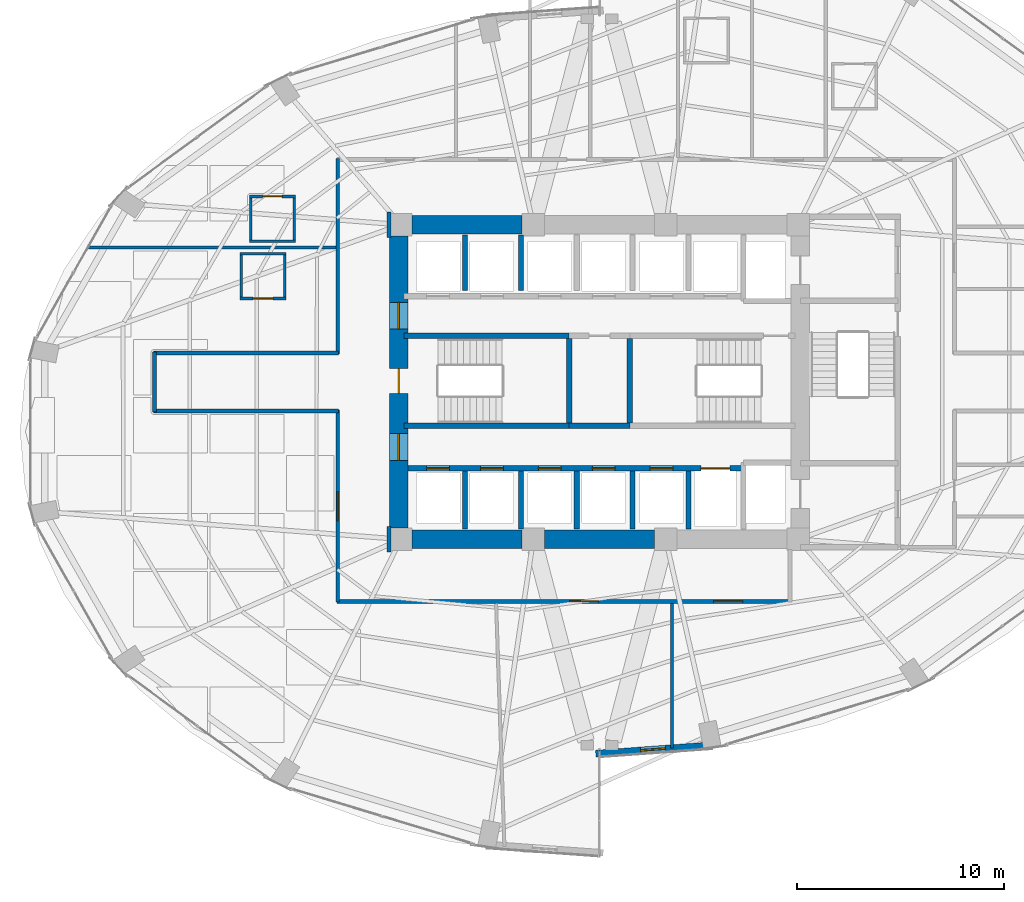
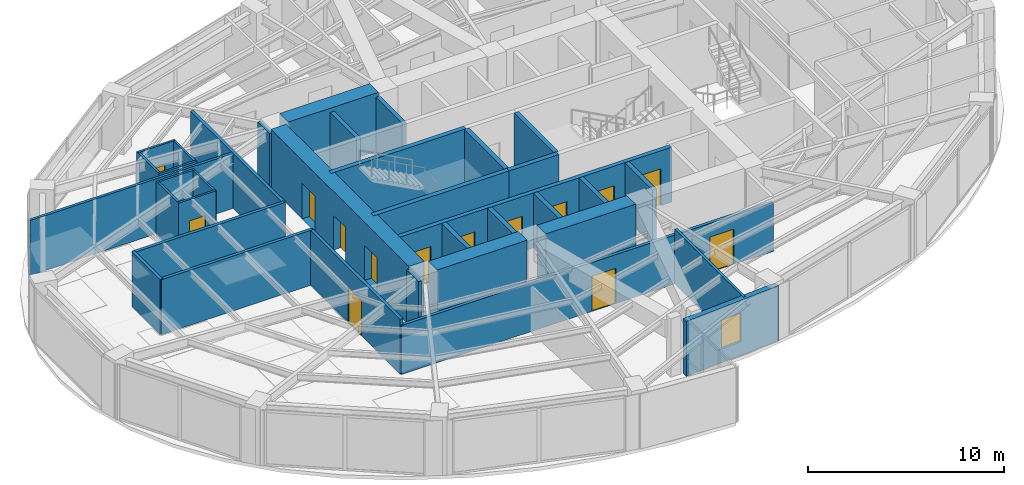
# One storey, part 21 of 25: 36 walls, 14 doors, 1 window, 15 openings.
"""IFC4 building model written with IfcOpenShell, lengths in metres."""

from ifc_helpers import new_model, si_unit, direction, frame, frame_2d, origin, place, context, subcontext, project, spatial, rectangle, extrude, material, layer, layer_set, type_object, element, fill, save


model = new_model("IFC4")

# Units and contexts
model_context = context("Model", 3, precision=1e-05, world=origin(), true_north=direction((0.0, 1.0)))
body_context = subcontext(model_context, "Body", "Model", "MODEL_VIEW")
ifc_project = project(units=[si_unit("LENGTHUNIT", "METRE"), si_unit("AREAUNIT", "SQUARE_METRE"), si_unit("VOLUMEUNIT", "CUBIC_METRE"), si_unit("PLANEANGLEUNIT", "RADIAN"), si_unit("MASSUNIT", "GRAM", prefix="KILO")], contexts=[model_context])

# Site, building, storey
site_placement = place(None, origin())
site = spatial("IfcSite", under=ifc_project, at=site_placement, CompositionType="ELEMENT")
building_placement = place(site_placement, origin())
building = spatial("IfcBuilding", under=site, at=building_placement, Name="Lazwardi Medical Tower", CompositionType="ELEMENT")
storey_placement = place(building_placement, frame((0.0, 0.0, 50.736083984375)))
storey = spatial("IfcBuildingStorey", under=building, at=storey_placement, Name="L12", CompositionType="ELEMENT", Elevation=50.736083984375)

# Walls
ifc_material_1 = material(Name="Fire-rated gypsum board on steel stud", Category="steel")
ifc_layer_1 = layer(ifc_material_1, 0.179931640625)
ifc_layer_set_1 = layer_set([ifc_layer_1], Name="Fire-rated gypsum board on steel stud")
wall_type_1 = type_object("IfcWallType", Name="WL-COR-180", PredefinedType="PARTITIONING", material=ifc_layer_set_1)
wall_1_placement = place(storey_placement, frame((14.5, 26.56005859375, 0.0), z_axis=(0.0, 0.0, 1.0), x_axis=(0.0, 1.0, 0.0)))
element("IfcWall", 1, at=wall_1_placement, inside=storey, type_object=wall_type_1, Name="L12 Corridor partition 1", PredefinedType="PARTITIONING", context=body_context, shape_type="SweptSolid", body=[
    extrude(rectangle(XDim=2.8798828125, YDim=0.179931640625, at=frame_2d((1.43994140625, 0.0))), origin(), (0.0, 0.0, 1.0), 3.427978515625),
])
wall_2_placement = place(storey_placement, frame((14.4599609375, 29.39990234375, 0.0), z_axis=(0.0, 0.0, 1.0), x_axis=(1.0, 0.0, 0.0)))
element("IfcWall", 2, at=wall_2_placement, inside=storey, type_object=wall_type_1, Name="L12 Corridor partition 2", PredefinedType="PARTITIONING", context=body_context, shape_type="SweptSolid", body=[
    extrude(rectangle(XDim=8.929931640625, YDim=0.179931640625, at=frame_2d((4.46484375, 0.0))), origin(), (0.0, 0.0, 1.0), 3.427978515625),
])
wall_3_placement = place(storey_placement, frame((23.35009765625, 29.360107421875, 0.0), z_axis=(0.0, 0.0, 1.0), x_axis=(0.0, 1.0, 0.0)))
element("IfcWall", 3, at=wall_3_placement, inside=storey, type_object=wall_type_1, Name="L12 Corridor partition 3", PredefinedType="PARTITIONING", context=body_context, shape_type="SweptSolid", body=[
    extrude(rectangle(XDim=9.429931640625, YDim=0.179931640625, at=frame_2d((4.71484375, 0.0))), origin(), (0.0, 0.0, 1.0), 3.427978515625),
])
for number, where, z_axis, x_axis, name in (
    (4, (25.830078125, 36.2099609375, 0.0), (0.0, 0.0, 1.0), (0.0, -1.0, 0.0), "L12 Corridor partition 12"),
    (5, (25.830078125, 21.010009765625, 0.0), (0.0, 0.0, 1.0), (0.0, -1.0, 0.0), "L12 Corridor partition 13"),
):
    element("IfcWall", number, at=place(storey_placement, frame(where, z_axis=z_axis, x_axis=x_axis)), inside=storey, type_object=wall_type_1, Name=name, PredefinedType="PARTITIONING", context=body_context, shape_type="SweptSolid", body=[
        extrude(rectangle(XDim=1.219970703125, YDim=0.179931640625, at=frame_2d((0.60986328125, 0.0))), origin(), (0.0, 0.0, 1.0), 3.427978515625),
    ])

# Wall, openings, doors
wall_4_placement = place(storey_placement, frame((45.239990234375, 17.39990234375, 0.0), z_axis=(0.0, 0.0, 1.0), x_axis=(-1.0, 0.0, 0.0)))
wall_4 = element("IfcWall", 6, at=wall_4_placement, inside=storey, type_object=wall_type_1, Name="L12 Corridor partition 15", PredefinedType="PARTITIONING", context=body_context, shape_type="SweptSolid", body=[
    extrude(rectangle(XDim=21.929931640625, YDim=0.179931640625, at=frame_2d((10.96484375, 0.0))), origin(), (0.0, 0.0, 1.0), 3.052978515625),
])
opening_1_placement = place(wall_4_placement, frame((9.288818359375, 0.0, 0.0)))
opening_1 = element("IfcOpeningElement", 7, at=opening_1_placement, cuts=wall_4, Name="Opening D-L12-011", PredefinedType="OPENING", context=body_context, shape_type="SweptSolid", body=[
    extrude(rectangle(XDim=1.39990234375, YDim=2.199951171875, at=frame_2d((0.699951171875, 1.10009765625))), frame((0.0, 0.099853515625, 0.0), z_axis=(0.0, -1.0, 0.0), x_axis=(1.0, 0.0, 0.0)), (0.0, 0.0, 1.0), 0.199951171875),
])
opening_2_placement = place(wall_4_placement, frame((2.3291015625, 0.0, 0.0)))
opening_2 = element("IfcOpeningElement", 8, at=opening_2_placement, cuts=wall_4, Name="Opening D-L12-012", PredefinedType="OPENING", context=body_context, shape_type="SweptSolid", body=[
    extrude(rectangle(XDim=1.39990234375, YDim=2.199951171875, at=frame_2d((0.699951171875, 1.10009765625))), frame((0.0, 0.099853515625, 0.0), z_axis=(0.0, -1.0, 0.0), x_axis=(1.0, 0.0, 0.0)), (0.0, 0.0, 1.0), 0.199951171875),
])
ifc_material_2 = material(Name="Anti-microbial laminate hospital leaf")
door_type_1 = type_object("IfcDoorType", Name="DR-BED-1400", OperationType="NOTDEFINED", PredefinedType="DOOR", material=ifc_material_2)
door_1_placement = place(opening_1_placement, origin())
door_1 = element("IfcDoor", 9, at=door_1_placement, inside=storey, type_object=door_type_1, Name="L12 Rehabilitation Gymnasium Door 02", OperationType="SINGLE_SWING_RIGHT", OverallHeight=2.199951171875, OverallWidth=1.39990234375, PredefinedType="DOOR", context=body_context, shape_type="SweptSolid", body=[
    extrude(rectangle(XDim=1.39990234375, YDim=2.199951171875, at=frame_2d((0.699951171875, 1.10009765625))), frame((0.0, 0.02490234375, 0.0), z_axis=(0.0, -1.0, 0.0), x_axis=(1.0, 0.0, 0.0)), (0.0, 0.0, 1.0), 0.050048828125),
])
fill(opening_1, door_1)
door_2_placement = place(opening_2_placement, origin())
door_2 = element("IfcDoor", 10, at=door_2_placement, inside=storey, type_object=door_type_1, Name="L12 Patient Day Lounge Door 03", OperationType="SINGLE_SWING_LEFT", OverallHeight=2.199951171875, OverallWidth=1.39990234375, PredefinedType="DOOR", context=body_context, shape_type="SweptSolid", body=[
    extrude(rectangle(XDim=1.39990234375, YDim=2.199951171875, at=frame_2d((0.699951171875, 1.10009765625))), frame((0.0, 0.02490234375, 0.0), z_axis=(0.0, -1.0, 0.0), x_axis=(1.0, 0.0, 0.0)), (0.0, 0.0, 1.0), 0.050048828125),
])
fill(opening_2, door_2)

# Wall, opening, door
wall_5_placement = place(storey_placement, frame((23.35009765625, 17.360107421875, 0.0), z_axis=(0.0, 0.0, 1.0), x_axis=(0.0, 1.0, 0.0)))
wall_5 = element("IfcWall", 11, at=wall_5_placement, inside=storey, type_object=wall_type_1, Name="L12 Corridor partition 16", PredefinedType="PARTITIONING", context=body_context, shape_type="SweptSolid", body=[
    extrude(rectangle(XDim=9.27978515625, YDim=0.179931640625, at=frame_2d((4.639892578125, 0.0))), origin(), (0.0, 0.0, 1.0), 3.427978515625),
])
opening_3_placement = place(wall_5_placement, frame((3.93994140625, 0.0, 0.0)))
opening_3 = element("IfcOpeningElement", 12, at=opening_3_placement, cuts=wall_5, Name="Opening D-L12-010", PredefinedType="OPENING", context=body_context, shape_type="SweptSolid", body=[
    extrude(rectangle(XDim=1.39990234375, YDim=2.199951171875, at=frame_2d((0.699951171875, 1.10009765625))), frame((0.0, 0.099853515625, 0.0), z_axis=(0.0, -1.0, 0.0), x_axis=(1.0, 0.0, 0.0)), (0.0, 0.0, 1.0), 0.199951171875),
])
door_3_placement = place(opening_3_placement, origin())
door_3 = element("IfcDoor", 13, at=door_3_placement, inside=storey, type_object=door_type_1, Name="L12 Inpatient Ward Door 01", OperationType="SINGLE_SWING_LEFT", OverallHeight=2.199951171875, OverallWidth=1.39990234375, PredefinedType="DOOR", context=body_context, shape_type="SweptSolid", body=[
    extrude(rectangle(XDim=1.39990234375, YDim=2.199951171875, at=frame_2d((0.699951171875, 1.10009765625))), frame((0.0, 0.02490234375, 0.0), z_axis=(0.0, -1.0, 0.0), x_axis=(1.0, 0.0, 0.0)), (0.0, 0.0, 1.0), 0.050048828125),
])
fill(opening_3, door_3)

# Wall
wall_6_placement = place(storey_placement, frame((23.389892578125, 26.60009765625, 0.0), z_axis=(0.0, 0.0, 1.0), x_axis=(-1.0, 0.0, 0.0)))
element("IfcWall", 14, at=wall_6_placement, inside=storey, type_object=wall_type_1, Name="L12 Corridor partition 17", PredefinedType="PARTITIONING", context=body_context, shape_type="SweptSolid", body=[
    extrude(rectangle(XDim=8.929931640625, YDim=0.179931640625, at=frame_2d((4.46484375, 0.0))), origin(), (0.0, 0.0, 1.0), 3.427978515625),
])

# Wall, openings, doors
ifc_material_3 = material(Name="Concrete C80/95", Category="concrete")
ifc_layer_2 = layer(ifc_material_3, 0.89990234375)
ifc_layer_set_2 = layer_set([ifc_layer_2], Name="Concrete C80/95")
wall_type_2 = type_object("IfcWallType", Name="WL-CORE-900", PredefinedType="SHEAR", material=ifc_layer_set_2)
wall_7_placement = place(storey_placement, frame((26.300048828125, 20.949951171875, 0.0), z_axis=(0.0, 0.0, 1.0), x_axis=(0.0, 1.0, 0.0)))
wall_7 = element("IfcWall", 15, at=wall_7_placement, inside=storey, type_object=wall_type_2, Name="Core wall CW-S1 west L12", PredefinedType="SHEAR", context=body_context, shape_type="SweptSolid", body=[
    extrude(rectangle(XDim=14.10009765625, YDim=0.89990234375, at=frame_2d((7.050048828125, 0.0))), origin(), (0.0, 0.0, 1.0), 3.64794921875),
])
opening_4_placement = place(wall_7_placement, frame((6.5, 0.0, 0.0)))
opening_4 = element("IfcOpeningElement", 16, at=opening_4_placement, cuts=wall_7, Name="Opening D-L12-023", PredefinedType="OPENING", context=body_context, shape_type="SweptSolid", body=[
    extrude(rectangle(XDim=1.199951171875, YDim=2.14990234375, at=frame_2d((0.60009765625, 1.074951171875))), frame((0.0, 0.4599609375, 0.0), z_axis=(0.0, -1.0, 0.0), x_axis=(1.0, 0.0, 0.0)), (0.0, 0.0, 1.0), 0.919921875),
])
opening_5_placement = place(wall_7_placement, frame((9.60009765625, 0.0, 0.0)))
opening_5 = element("IfcOpeningElement", 17, at=opening_5_placement, cuts=wall_7, Name="Opening D-L12-008", PredefinedType="OPENING", context=body_context, shape_type="SweptSolid", body=[
    extrude(rectangle(XDim=1.300048828125, YDim=2.199951171875, at=frame_2d((0.64990234375, 1.10009765625))), frame((0.0, 0.4599609375, 0.0), z_axis=(0.0, -1.0, 0.0), x_axis=(1.0, 0.0, 0.0)), (0.0, 0.0, 1.0), 0.919921875),
])
opening_6_placement = place(wall_7_placement, frame((3.260009765625, 0.0, 0.0)))
opening_6 = element("IfcOpeningElement", 18, at=opening_6_placement, cuts=wall_7, Name="Opening D-L12-009", PredefinedType="OPENING", context=body_context, shape_type="SweptSolid", body=[
    extrude(rectangle(XDim=1.300048828125, YDim=2.199951171875, at=frame_2d((0.64990234375, 1.10009765625))), frame((0.0, 0.4599609375, 0.0), z_axis=(0.0, -1.0, 0.0), x_axis=(1.0, 0.0, 0.0)), (0.0, 0.0, 1.0), 0.919921875),
])
ifc_material_4 = material(Name="Fire-rated steel leaf and frame", Category="steel")
door_type_2 = type_object("IfcDoorType", Name="DR-FFL-1300", OperationType="NOTDEFINED", PredefinedType="DOOR", material=ifc_material_4)
door_4_placement = place(opening_5_placement, origin())
door_4 = element("IfcDoor", 19, at=door_4_placement, inside=storey, type_object=door_type_2, Name="L12 North Lift Lobby Door", OperationType="SINGLE_SWING_LEFT", OverallHeight=2.199951171875, OverallWidth=1.300048828125, PredefinedType="DOOR", context=body_context, shape_type="SweptSolid", body=[
    extrude(rectangle(XDim=1.300048828125, YDim=2.199951171875, at=frame_2d((0.64990234375, 1.10009765625))), frame((0.0, 0.02490234375, 0.0), z_axis=(0.0, -1.0, 0.0), x_axis=(1.0, 0.0, 0.0)), (0.0, 0.0, 1.0), 0.050048828125),
])
fill(opening_5, door_4)
door_5_placement = place(opening_6_placement, origin())
door_5 = element("IfcDoor", 20, at=door_5_placement, inside=storey, type_object=door_type_2, Name="L12 South Lift Lobby Door", OperationType="SINGLE_SWING_RIGHT", OverallHeight=2.199951171875, OverallWidth=1.300048828125, PredefinedType="DOOR", context=body_context, shape_type="SweptSolid", body=[
    extrude(rectangle(XDim=1.300048828125, YDim=2.199951171875, at=frame_2d((0.64990234375, 1.10009765625))), frame((0.0, 0.02490234375, 0.0), z_axis=(0.0, -1.0, 0.0), x_axis=(1.0, 0.0, 0.0)), (0.0, 0.0, 1.0), 0.050048828125),
])
fill(opening_6, door_5)
door_type_3 = type_object("IfcDoorType", Name="DR-STR-1200", OperationType="NOTDEFINED", PredefinedType="DOOR", material=ifc_material_4)
door_6_placement = place(opening_4_placement, origin())
door_6 = element("IfcDoor", 21, at=door_6_placement, inside=storey, type_object=door_type_3, Name="L12 Exit Stair ST1 Door", OperationType="SINGLE_SWING_RIGHT", OverallHeight=2.14990234375, OverallWidth=1.199951171875, PredefinedType="DOOR", context=body_context, shape_type="SweptSolid", body=[
    extrude(rectangle(XDim=1.199951171875, YDim=2.14990234375, at=frame_2d((0.60009765625, 1.074951171875))), frame((0.0, 0.02490234375, 0.0), z_axis=(0.0, -1.0, 0.0), x_axis=(1.0, 0.0, 0.0)), (0.0, 0.0, 1.0), 0.050048828125),
])
fill(opening_4, door_6)

# Walls
for number, where, z_axis, x_axis, name in (
    (22, (26.949951171875, 20.39990234375, 0.0), (0.0, 0.0, 1.0), (1.0, 0.0, 0.0), "Core wall CW-S1 S1 L12"),
    (23, (26.949951171875, 35.60009765625, 0.0), (0.0, 0.0, 1.0), (1.0, 0.0, 0.0), "Core wall CW-S1 N1 L12"),
):
    element("IfcWall", number, at=place(storey_placement, frame(where, z_axis=z_axis, x_axis=x_axis)), inside=storey, type_object=wall_type_2, Name=name, PredefinedType="SHEAR", context=body_context, shape_type="SweptSolid", body=[
        extrude(rectangle(XDim=5.300048828125, YDim=0.89990234375, at=frame_2d((2.64990234375, 0.0))), origin(), (0.0, 0.0, 1.0), 3.64794921875),
    ])
wall_8_placement = place(storey_placement, frame((33.35009765625, 20.39990234375, 0.0), z_axis=(0.0, 0.0, 1.0), x_axis=(1.0, 0.0, 0.0)))
element("IfcWall", 24, at=wall_8_placement, inside=storey, type_object=wall_type_2, Name="Core wall CW-S1 S2 L12", PredefinedType="SHEAR", context=body_context, shape_type="SweptSolid", body=[
    extrude(rectangle(XDim=5.2998046875, YDim=0.89990234375, at=frame_2d((2.64990234375, 0.0))), origin(), (0.0, 0.0, 1.0), 3.64794921875),
])
ifc_material_5 = material(Name="Moisture-resistant gypsum board partition")
ifc_layer_3 = layer(ifc_material_5, 0.125)
ifc_layer_set_3 = layer_set([ifc_layer_3], Name="Moisture-resistant gypsum board partition")
wall_type_3 = type_object("IfcWallType", Name="WL-ENS-125", PredefinedType="PARTITIONING", material=ifc_layer_set_3)
wall_9_placement = place(storey_placement, frame((18.633056640625, 34.195068359375, 0.0), z_axis=(0.0, 0.0, 1.0), x_axis=(1.0, 0.0, 0.0)))
element("IfcWall", 25, at=wall_9_placement, inside=storey, type_object=wall_type_3, Name="L12 En-suite wall 1N", PredefinedType="PARTITIONING", context=body_context, shape_type="SweptSolid", body=[
    extrude(rectangle(XDim=2.219970703125, YDim=0.125, at=frame_2d((1.10986328125, 0.0))), origin(), (0.0, 0.0, 1.0), 3.427978515625),
])

# Wall, opening, door
wall_10_placement = place(storey_placement, frame((18.633056640625, 32.034912109375, 0.0), z_axis=(0.0, 0.0, 1.0), x_axis=(1.0, 0.0, 0.0)))
wall_10 = element("IfcWall", 26, at=wall_10_placement, inside=storey, type_object=wall_type_3, Name="L12 En-suite wall 1S", PredefinedType="PARTITIONING", context=body_context, shape_type="SweptSolid", body=[
    extrude(rectangle(XDim=2.219970703125, YDim=0.125, at=frame_2d((1.10986328125, 0.0))), origin(), (0.0, 0.0, 1.0), 3.427978515625),
])
opening_7_placement = place(wall_10_placement, frame((0.635009765625, 0.0, 0.0)))
opening_7 = element("IfcOpeningElement", 27, at=opening_7_placement, cuts=wall_10, Name="Opening D-L12-002", PredefinedType="OPENING", context=body_context, shape_type="SweptSolid", body=[
    extrude(rectangle(XDim=0.949951171875, YDim=2.10009765625, at=frame_2d((0.47509765625, 1.050048828125))), frame((0.0, 0.072509765625, 0.0), z_axis=(0.0, -1.0, 0.0), x_axis=(1.0, 0.0, 0.0)), (0.0, 0.0, 1.0), 0.14501953125),
])
ifc_material_6 = material(Name="Moisture-resistant laminate door leaf")
door_type_4 = type_object("IfcDoorType", Name="DR-ENS-950", OperationType="NOTDEFINED", PredefinedType="DOOR", material=ifc_material_6)
door_7_placement = place(opening_7_placement, origin())
door_7 = element("IfcDoor", 28, at=door_7_placement, inside=storey, type_object=door_type_4, Name="L12 En-suite Door 01", OperationType="SINGLE_SWING_RIGHT", OverallHeight=2.10009765625, OverallWidth=0.949951171875, PredefinedType="DOOR", context=body_context, shape_type="SweptSolid", body=[
    extrude(rectangle(XDim=0.949951171875, YDim=2.10009765625, at=frame_2d((0.47509765625, 1.050048828125))), frame((0.0, 0.02490234375, 0.0), z_axis=(0.0, -1.0, 0.0), x_axis=(1.0, 0.0, 0.0)), (0.0, 0.0, 1.0), 0.050048828125),
])
fill(opening_7, door_7)

# Walls
for number, where, z_axis, x_axis, name in (
    (29, (20.793212890625, 31.97509765625, 0.0), (0.0, 0.0, 1.0), (0.0, 1.0, 0.0), "L12 En-suite wall 1E"),
    (30, (18.693115234375, 31.97509765625, 0.0), (0.0, 0.0, 1.0), (0.0, 1.0, 0.0), "L12 En-suite wall 1W"),
):
    element("IfcWall", number, at=place(storey_placement, frame(where, z_axis=z_axis, x_axis=x_axis)), inside=storey, type_object=wall_type_3, Name=name, PredefinedType="PARTITIONING", context=body_context, shape_type="SweptSolid", body=[
        extrude(rectangle(XDim=2.27978515625, YDim=0.125, at=frame_2d((1.139892578125, 0.0))), origin(), (0.0, 0.0, 1.0), 3.427978515625),
    ])

# Wall, opening, door
wall_11_placement = place(storey_placement, frame((19.084228515625, 36.965087890625, 0.0), z_axis=(0.0, 0.0, 1.0), x_axis=(1.0, 0.0, 0.0)))
wall_11 = element("IfcWall", 31, at=wall_11_placement, inside=storey, type_object=wall_type_3, Name="L12 En-suite wall 13N", PredefinedType="PARTITIONING", context=body_context, shape_type="SweptSolid", body=[
    extrude(rectangle(XDim=2.219970703125, YDim=0.125, at=frame_2d((1.10986328125, 0.0))), origin(), (0.0, 0.0, 1.0), 3.427978515625),
])
opening_8_placement = place(wall_11_placement, frame((0.635009765625, 0.0, 0.0)))
opening_8 = element("IfcOpeningElement", 32, at=opening_8_placement, cuts=wall_11, Name="Opening D-L12-005", PredefinedType="OPENING", context=body_context, shape_type="SweptSolid", body=[
    extrude(rectangle(XDim=0.949951171875, YDim=2.10009765625, at=frame_2d((0.47509765625, 1.050048828125))), frame((0.0, 0.072509765625, 0.0), z_axis=(0.0, -1.0, 0.0), x_axis=(1.0, 0.0, 0.0)), (0.0, 0.0, 1.0), 0.14501953125),
])
door_8_placement = place(opening_8_placement, origin())
door_8 = element("IfcDoor", 33, at=door_8_placement, inside=storey, type_object=door_type_4, Name="L12 En-suite Door 13", OperationType="SINGLE_SWING_LEFT", OverallHeight=2.10009765625, OverallWidth=0.949951171875, PredefinedType="DOOR", context=body_context, shape_type="SweptSolid", body=[
    extrude(rectangle(XDim=0.949951171875, YDim=2.10009765625, at=frame_2d((0.47509765625, 1.050048828125))), frame((0.0, 0.02490234375, 0.0), z_axis=(0.0, -1.0, 0.0), x_axis=(1.0, 0.0, 0.0)), (0.0, 0.0, 1.0), 0.050048828125),
])
fill(opening_8, door_8)

# Walls
wall_12_placement = place(storey_placement, frame((19.084228515625, 34.804931640625, 0.0), z_axis=(0.0, 0.0, 1.0), x_axis=(1.0, 0.0, 0.0)))
element("IfcWall", 34, at=wall_12_placement, inside=storey, type_object=wall_type_3, Name="L12 En-suite wall 13S", PredefinedType="PARTITIONING", context=body_context, shape_type="SweptSolid", body=[
    extrude(rectangle(XDim=2.219970703125, YDim=0.125, at=frame_2d((1.10986328125, 0.0))), origin(), (0.0, 0.0, 1.0), 3.427978515625),
])
for number, where, z_axis, x_axis, name in (
    (35, (21.244384765625, 34.7451171875, 0.0), (0.0, 0.0, 1.0), (0.0, 1.0, 0.0), "L12 En-suite wall 13E"),
    (36, (19.144287109375, 34.7451171875, 0.0), (0.0, 0.0, 1.0), (0.0, 1.0, 0.0), "L12 En-suite wall 13W"),
):
    element("IfcWall", number, at=place(storey_placement, frame(where, z_axis=z_axis, x_axis=x_axis)), inside=storey, type_object=wall_type_3, Name=name, PredefinedType="PARTITIONING", context=body_context, shape_type="SweptSolid", body=[
        extrude(rectangle(XDim=2.27978515625, YDim=0.125, at=frame_2d((1.139892578125, 0.0))), origin(), (0.0, 0.0, 1.0), 3.427978515625),
    ])

# Wall, opening, window
ifc_material_7 = material(Name="Precast concrete C45/55", Category="concrete")
ifc_layer_4 = layer(ifc_material_7, 0.320068359375)
ifc_layer_set_4 = layer_set([ifc_layer_4], Name="Precast concrete C45/55")
wall_type_4 = type_object("IfcWallType", Name="WL-IWAN-320", PredefinedType="SOLIDWALL", material=ifc_layer_set_4)
wall_13_placement = place(storey_placement, frame((35.820556640625, 10.047119140625, 0.0), z_axis=(0.0, 0.0, 1.0), x_axis=(0.997422321809, 0.071754525696, 0.0)))
wall_13 = element("IfcWall", 37, at=wall_13_placement, inside=storey, type_object=wall_type_4, Name="L12 Iwan Portal Return Wall SE_ret", PredefinedType="SOLIDWALL", context=body_context, shape_type="SweptSolid", body=[
    extrude(rectangle(XDim=5.67529296875, YDim=0.320068359375, at=frame_2d((2.837646484375, 0.0))), origin(), (0.0, 0.0, 1.0), 3.427978515625),
])
opening_9_placement = place(wall_13_placement, frame((2.173828125, 0.0, 0.85009765625)))
opening_9 = element("IfcOpeningElement", 38, at=opening_9_placement, cuts=wall_13, Name="Opening WN-04", PredefinedType="OPENING", context=body_context, shape_type="SweptSolid", body=[
    extrude(rectangle(XDim=1.199951171875, YDim=1.800048828125, at=frame_2d((0.60009765625, 0.89990234375))), frame((0.0, 0.169921875, 0.0), z_axis=(0.0, -1.0, 0.0), x_axis=(1.0, 0.0, 0.0)), (0.0, 0.0, 1.0), 0.340087890625),
])
ifc_material_8 = material(Name="Low-e bronze solar control double glazing", Category="glass")
window_type = type_object("IfcWindowType", Name="WIN-DRUM-1200", PartitioningType="SINGLE_PANEL", PredefinedType="WINDOW", material=ifc_material_8)
window_placement = place(opening_9_placement, origin())
window = element("IfcWindow", 39, at=window_placement, inside=storey, type_object=window_type, Name="L12 Iwan Slot Window SE_ret", OverallHeight=1.800048828125, OverallWidth=1.199951171875, PartitioningType="SINGLE_PANEL", PredefinedType="WINDOW", context=body_context, shape_type="SweptSolid", body=[
    extrude(rectangle(XDim=1.199951171875, YDim=1.800048828125, at=frame_2d((0.60009765625, 0.89990234375))), frame((0.0, 0.030029296875, 0.0), z_axis=(0.0, -1.0, 0.0), x_axis=(1.0, 0.0, 0.0)), (0.0, 0.0, 1.0), 0.06005859375),
])
fill(opening_9, window)

# Wall, openings, doors
ifc_material_9 = material(Name="Autoclaved aerated concrete blockwork", Category="masonry")
ifc_layer_5 = layer(ifc_material_9, 0.25)
ifc_layer_set_5 = layer_set([ifc_layer_5], Name="Autoclaved aerated concrete blockwork")
wall_type_5 = type_object("IfcWallType", Name="WL-SHAFT-250", PredefinedType="SOLIDWALL", material=ifc_layer_set_5)
wall_14_placement = place(storey_placement, frame((26.75, 23.830078125, 0.0), z_axis=(0.0, 0.0, 1.0), x_axis=(1.0, 0.0, 0.0)))
wall_14 = element("IfcWall", 40, at=wall_14_placement, inside=storey, type_object=wall_type_5, Name="L12 South lift bank front wall", PredefinedType="SOLIDWALL", context=body_context, shape_type="SweptSolid", body=[
    extrude(rectangle(XDim=16.199951171875, YDim=0.25, at=frame_2d((8.10009765625, 0.0))), origin(), (0.0, 0.0, 1.0), 3.427978515625),
])
opening_10_placement = place(wall_14_placement, frame((0.89990234375, 0.0, 0.0)))
opening_10 = element("IfcOpeningElement", 41, at=opening_10_placement, cuts=wall_14, Name="Opening LD-L12-006", PredefinedType="OPENING", context=body_context, shape_type="SweptSolid", body=[
    extrude(rectangle(XDim=1.10009765625, YDim=2.199951171875, at=frame_2d((0.550048828125, 1.10009765625))), frame((0.0, 0.135009765625, 0.0), z_axis=(0.0, -1.0, 0.0), x_axis=(1.0, 0.0, 0.0)), (0.0, 0.0, 1.0), 0.27001953125),
])
opening_11_placement = place(wall_14_placement, frame((3.5, 0.0, 0.0)))
opening_11 = element("IfcOpeningElement", 42, at=opening_11_placement, cuts=wall_14, Name="Opening LD-L12-007", PredefinedType="OPENING", context=body_context, shape_type="SweptSolid", body=[
    extrude(rectangle(XDim=1.10009765625, YDim=2.199951171875, at=frame_2d((0.550048828125, 1.10009765625))), frame((0.0, 0.135009765625, 0.0), z_axis=(0.0, -1.0, 0.0), x_axis=(1.0, 0.0, 0.0)), (0.0, 0.0, 1.0), 0.27001953125),
])
opening_12_placement = place(wall_14_placement, frame((6.300048828125, 0.0, 0.0)))
opening_12 = element("IfcOpeningElement", 43, at=opening_12_placement, cuts=wall_14, Name="Opening LD-L12-010", PredefinedType="OPENING", context=body_context, shape_type="SweptSolid", body=[
    extrude(rectangle(XDim=1.10009765625, YDim=2.199951171875, at=frame_2d((0.550048828125, 1.10009765625))), frame((0.0, 0.135009765625, 0.0), z_axis=(0.0, -1.0, 0.0), x_axis=(1.0, 0.0, 0.0)), (0.0, 0.0, 1.0), 0.27001953125),
])
opening_13_placement = place(wall_14_placement, frame((8.89990234375, 0.0, 0.0)))
opening_13 = element("IfcOpeningElement", 44, at=opening_13_placement, cuts=wall_14, Name="Opening LD-L12-011", PredefinedType="OPENING", context=body_context, shape_type="SweptSolid", body=[
    extrude(rectangle(XDim=1.10009765625, YDim=2.199951171875, at=frame_2d((0.550048828125, 1.10009765625))), frame((0.0, 0.135009765625, 0.0), z_axis=(0.0, -1.0, 0.0), x_axis=(1.0, 0.0, 0.0)), (0.0, 0.0, 1.0), 0.27001953125),
])
opening_14_placement = place(wall_14_placement, frame((11.699951171875, 0.0, 0.0)))
opening_14 = element("IfcOpeningElement", 45, at=opening_14_placement, cuts=wall_14, Name="Opening LD-L12-014", PredefinedType="OPENING", context=body_context, shape_type="SweptSolid", body=[
    extrude(rectangle(XDim=1.10009765625, YDim=2.199951171875, at=frame_2d((0.550048828125, 1.10009765625))), frame((0.0, 0.135009765625, 0.0), z_axis=(0.0, -1.0, 0.0), x_axis=(1.0, 0.0, 0.0)), (0.0, 0.0, 1.0), 0.27001953125),
])
opening_15_placement = place(wall_14_placement, frame((14.14990234375, 0.0, 0.0)))
opening_15 = element("IfcOpeningElement", 46, at=opening_15_placement, cuts=wall_14, Name="Opening LD-L12-003", PredefinedType="OPENING", context=body_context, shape_type="SweptSolid", body=[
    extrude(rectangle(XDim=1.39990234375, YDim=2.300048828125, at=frame_2d((0.699951171875, 1.14990234375))), frame((0.0, 0.135009765625, 0.0), z_axis=(0.0, -1.0, 0.0), x_axis=(1.0, 0.0, 0.0)), (0.0, 0.0, 1.0), 0.27001953125),
])
ifc_material_10 = material(Name="Brushed bronze stainless steel landing door", Category="steel")
door_type_5 = type_object("IfcDoorType", Name="DR-LFT-1100", OperationType="NOTDEFINED", PredefinedType="DOOR", material=ifc_material_10)
door_9_placement = place(opening_10_placement, origin())
door_9 = element("IfcDoor", 47, at=door_9_placement, inside=storey, type_object=door_type_5, Name="L12 Lift Landing Door PL-03", OperationType="SLIDING_TO_LEFT", OverallHeight=2.199951171875, OverallWidth=1.10009765625, PredefinedType="DOOR", context=body_context, shape_type="SweptSolid", body=[
    extrude(rectangle(XDim=1.10009765625, YDim=2.199951171875, at=frame_2d((0.550048828125, 1.10009765625))), frame((0.0, 0.02490234375, 0.0), z_axis=(0.0, -1.0, 0.0), x_axis=(1.0, 0.0, 0.0)), (0.0, 0.0, 1.0), 0.050048828125),
])
fill(opening_10, door_9)
door_10_placement = place(opening_11_placement, origin())
door_10 = element("IfcDoor", 48, at=door_10_placement, inside=storey, type_object=door_type_5, Name="L12 Lift Landing Door PL-04", OperationType="SLIDING_TO_LEFT", OverallHeight=2.199951171875, OverallWidth=1.10009765625, PredefinedType="DOOR", context=body_context, shape_type="SweptSolid", body=[
    extrude(rectangle(XDim=1.10009765625, YDim=2.199951171875, at=frame_2d((0.550048828125, 1.10009765625))), frame((0.0, 0.02490234375, 0.0), z_axis=(0.0, -1.0, 0.0), x_axis=(1.0, 0.0, 0.0)), (0.0, 0.0, 1.0), 0.050048828125),
])
fill(opening_11, door_10)
door_11_placement = place(opening_12_placement, origin())
door_11 = element("IfcDoor", 49, at=door_11_placement, inside=storey, type_object=door_type_5, Name="L12 Lift Landing Door PL-07", OperationType="SLIDING_TO_LEFT", OverallHeight=2.199951171875, OverallWidth=1.10009765625, PredefinedType="DOOR", context=body_context, shape_type="SweptSolid", body=[
    extrude(rectangle(XDim=1.10009765625, YDim=2.199951171875, at=frame_2d((0.550048828125, 1.10009765625))), frame((0.0, 0.02490234375, 0.0), z_axis=(0.0, -1.0, 0.0), x_axis=(1.0, 0.0, 0.0)), (0.0, 0.0, 1.0), 0.050048828125),
])
fill(opening_12, door_11)
door_12_placement = place(opening_13_placement, origin())
door_12 = element("IfcDoor", 50, at=door_12_placement, inside=storey, type_object=door_type_5, Name="L12 Lift Landing Door PL-08", OperationType="SLIDING_TO_LEFT", OverallHeight=2.199951171875, OverallWidth=1.10009765625, PredefinedType="DOOR", context=body_context, shape_type="SweptSolid", body=[
    extrude(rectangle(XDim=1.10009765625, YDim=2.199951171875, at=frame_2d((0.550048828125, 1.10009765625))), frame((0.0, 0.02490234375, 0.0), z_axis=(0.0, -1.0, 0.0), x_axis=(1.0, 0.0, 0.0)), (0.0, 0.0, 1.0), 0.050048828125),
])
fill(opening_13, door_12)
door_13_placement = place(opening_14_placement, origin())
door_13 = element("IfcDoor", 51, at=door_13_placement, inside=storey, type_object=door_type_5, Name="L12 Lift Landing Door PL-11", OperationType="SLIDING_TO_LEFT", OverallHeight=2.199951171875, OverallWidth=1.10009765625, PredefinedType="DOOR", context=body_context, shape_type="SweptSolid", body=[
    extrude(rectangle(XDim=1.10009765625, YDim=2.199951171875, at=frame_2d((0.550048828125, 1.10009765625))), frame((0.0, 0.02490234375, 0.0), z_axis=(0.0, -1.0, 0.0), x_axis=(1.0, 0.0, 0.0)), (0.0, 0.0, 1.0), 0.050048828125),
])
fill(opening_14, door_13)
ifc_material_11 = material(Name="Brushed stainless steel bed-lift landing door", Category="steel")
door_type_6 = type_object("IfcDoorType", Name="DR-LFT-1400", OperationType="NOTDEFINED", PredefinedType="DOOR", material=ifc_material_11)
door_14_placement = place(opening_15_placement, origin())
door_14 = element("IfcDoor", 52, at=door_14_placement, inside=storey, type_object=door_type_6, Name="L12 Lift Landing Door FL-03", OperationType="SLIDING_TO_LEFT", OverallHeight=2.300048828125, OverallWidth=1.39990234375, PredefinedType="DOOR", context=body_context, shape_type="SweptSolid", body=[
    extrude(rectangle(XDim=1.39990234375, YDim=2.300048828125, at=frame_2d((0.699951171875, 1.14990234375))), frame((0.0, 0.02490234375, 0.0), z_axis=(0.0, -1.0, 0.0), x_axis=(1.0, 0.0, 0.0)), (0.0, 0.0, 1.0), 0.050048828125),
])
fill(opening_15, door_14)

# Walls
wall_15_placement = place(storey_placement, frame((29.5, 32.419921875, 0.0), z_axis=(0.0, 0.0, 1.0), x_axis=(0.0, 1.0, 0.0)))
element("IfcWall", 53, at=wall_15_placement, inside=storey, type_object=wall_type_5, Name="L12 North hoistway divider", PredefinedType="SOLIDWALL", context=body_context, shape_type="SweptSolid", body=[
    extrude(rectangle(XDim=2.68017578125, YDim=0.25, at=frame_2d((1.340087890625, 0.0))), origin(), (0.0, 0.0, 1.0), 3.427978515625),
])
wall_16_placement = place(storey_placement, frame((29.5, 20.89990234375, 0.0), z_axis=(0.0, 0.0, 1.0), x_axis=(0.0, 1.0, 0.0)))
element("IfcWall", 54, at=wall_16_placement, inside=storey, type_object=wall_type_5, Name="L12 South hoistway divider", PredefinedType="SOLIDWALL", context=body_context, shape_type="SweptSolid", body=[
    extrude(rectangle(XDim=2.800048828125, YDim=0.25, at=frame_2d((1.39990234375, 0.0))), origin(), (0.0, 0.0, 1.0), 3.427978515625),
])
wall_17_placement = place(storey_placement, frame((32.199951171875, 32.419921875, 0.0), z_axis=(0.0, 0.0, 1.0), x_axis=(0.0, 1.0, 0.0)))
element("IfcWall", 55, at=wall_17_placement, inside=storey, type_object=wall_type_5, Name="L12 North hoistway divider", PredefinedType="SOLIDWALL", context=body_context, shape_type="SweptSolid", body=[
    extrude(rectangle(XDim=2.68017578125, YDim=0.25, at=frame_2d((1.340087890625, 0.0))), origin(), (0.0, 0.0, 1.0), 3.427978515625),
])
for number, where, z_axis, x_axis, name in (
    (56, (32.199951171875, 20.89990234375, 0.0), (0.0, 0.0, 1.0), (0.0, 1.0, 0.0), "L12 South hoistway divider"),
    (57, (34.89990234375, 20.89990234375, 0.0), (0.0, 0.0, 1.0), (0.0, 1.0, 0.0), "L12 South hoistway divider"),
    (58, (37.60009765625, 20.89990234375, 0.0), (0.0, 0.0, 1.0), (0.0, 1.0, 0.0), "L12 South hoistway divider"),
    (59, (40.300048828125, 20.89990234375, 0.0), (0.0, 0.0, 1.0), (0.0, 1.0, 0.0), "L12 South hoistway divider"),
):
    element("IfcWall", number, at=place(storey_placement, frame(where, z_axis=z_axis, x_axis=x_axis)), inside=storey, type_object=wall_type_5, Name=name, PredefinedType="SOLIDWALL", context=body_context, shape_type="SweptSolid", body=[
        extrude(rectangle(XDim=2.800048828125, YDim=0.25, at=frame_2d((1.39990234375, 0.0))), origin(), (0.0, 0.0, 1.0), 3.427978515625),
    ])
ifc_material_12 = material(Name="Concrete C50/60", Category="concrete")
ifc_layer_6 = layer(ifc_material_12, 0.27001953125)
ifc_layer_set_6 = layer_set([ifc_layer_6], Name="Concrete C50/60")
wall_type_6 = type_object("IfcWallType", Name="WL-STR-250", PredefinedType="SHEAR", material=ifc_layer_set_6)
for number, where, z_axis, x_axis, name in (
    (60, (26.550048828125, 30.235107421875, 0.0), (0.0, 0.0, 1.0), (1.0, 0.0, 0.0), "L12 ST1 North shear shaft wall SW-S1"),
    (61, (26.550048828125, 25.885009765625, 0.0), (0.0, 0.0, 1.0), (1.0, 0.0, 0.0), "L12 ST1 South shear shaft wall SW-S1"),
):
    element("IfcWall", number, at=place(storey_placement, frame(where, z_axis=z_axis, x_axis=x_axis)), inside=storey, type_object=wall_type_6, Name=name, PredefinedType="SHEAR", context=body_context, shape_type="SweptSolid", body=[
        extrude(rectangle(XDim=7.98486328125, YDim=0.27001953125, at=frame_2d((3.992431640625, 0.0))), origin(), (0.0, 0.0, 1.0), 3.64794921875),
    ])
wall_18_placement = place(storey_placement, frame((34.534912109375, 25.885009765625, 0.0), z_axis=(0.0, 0.0, 1.0), x_axis=(1.0, 0.0, 0.0)))
element("IfcWall", 62, at=wall_18_placement, inside=storey, type_object=wall_type_6, Name="L12 Core service South shear wall SW-S1", PredefinedType="SHEAR", context=body_context, shape_type="SweptSolid", body=[
    extrude(rectangle(XDim=2.93017578125, YDim=0.27001953125, at=frame_2d((1.465087890625, 0.0))), origin(), (0.0, 0.0, 1.0), 3.64794921875),
])
for number, where, z_axis, x_axis, name in (
    (63, (34.534912109375, 26.02001953125, 0.0), (0.0, 0.0, 1.0), (0.0, 1.0, 0.0), "L12 ST1 East shear shaft wall SW-S1"),
    (64, (37.465087890625, 26.02001953125, 0.0), (0.0, 0.0, 1.0), (0.0, 1.0, 0.0), "L12 ST2 West shear shaft wall SW-S1"),
):
    element("IfcWall", number, at=place(storey_placement, frame(where, z_axis=z_axis, x_axis=x_axis)), inside=storey, type_object=wall_type_6, Name=name, PredefinedType="SHEAR", context=body_context, shape_type="SweptSolid", body=[
        extrude(rectangle(XDim=4.080078125, YDim=0.27001953125, at=frame_2d((2.0400390625, 0.0))), origin(), (0.0, 0.0, 1.0), 3.64794921875),
    ])
ifc_material_13 = material(Name="Acoustic gypsum board partition")
ifc_layer_7 = layer(ifc_material_13, 0.14990234375)
ifc_layer_set_7 = layer_set([ifc_layer_7], Name="Acoustic gypsum board partition")
wall_type_7 = type_object("IfcWallType", Name="WL-WRD-150", PredefinedType="PARTITIONING", material=ifc_layer_set_7)
wall_19_placement = place(storey_placement, frame((11.281005859375, 34.5, 0.0), z_axis=(0.0, 0.0, 1.0), x_axis=(1.0, 0.0, 0.0)))
element("IfcWall", 65, at=wall_19_placement, inside=storey, type_object=wall_type_7, Name="L12 Room partition 1", PredefinedType="PARTITIONING", context=body_context, shape_type="SweptSolid", body=[
    extrude(rectangle(XDim=11.97900390625, YDim=0.14990234375, at=frame_2d((5.989501953125, 0.0))), origin(), (0.0, 0.0, 1.0), 3.427978515625),
])
wall_20_placement = place(storey_placement, frame((39.5, 10.3076171875, 0.0), z_axis=(0.0, 0.0, 1.0), x_axis=(0.0, 1.0, 0.0)))
element("IfcWall", 66, at=wall_20_placement, inside=storey, type_object=wall_type_7, Name="L12 Room partition 13", PredefinedType="PARTITIONING", context=body_context, shape_type="SweptSolid", body=[
    extrude(rectangle(XDim=7.00244140625, YDim=0.14990234375, at=frame_2d((3.501220703125, 0.0))), origin(), (0.0, 0.0, 1.0), 3.427978515625),
])

save(model, "model.ifc")
